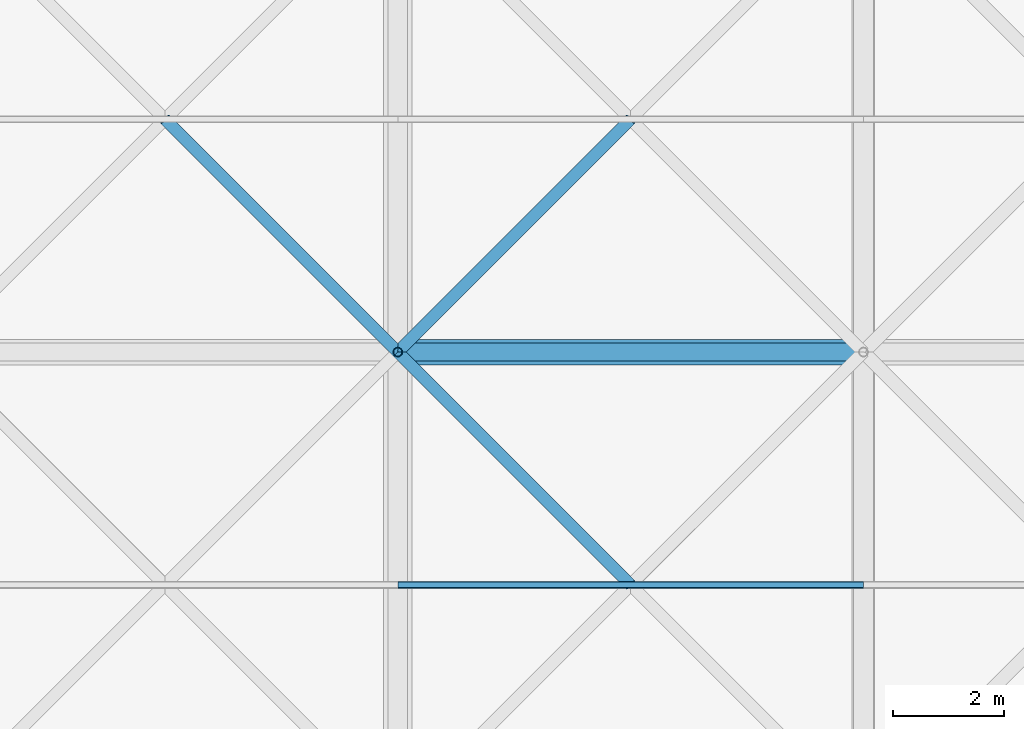
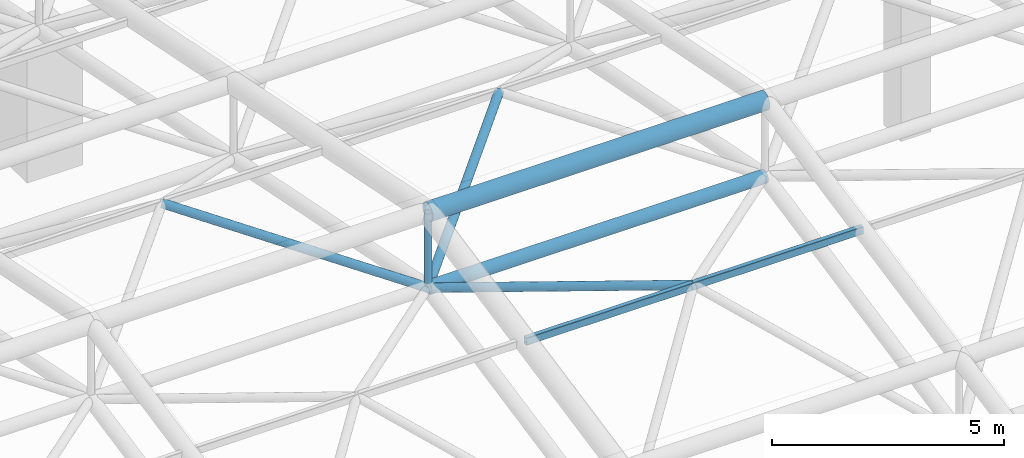
# One storey, part 40 of 81: 7 members.
"""IFC4 building model written with IfcOpenShell, lengths in metres."""

from ifc_helpers import new_model, si_unit, direction, frame, origin, origin_2d, place, context, subcontext, project, spatial, hollow_rectangle, hollow_circle, extrude, material, material_profile, profile_set, type_object, element, save


model = new_model("IFC4")

# Units and contexts
model_context = context("Model", 3, precision=1e-05, world=origin(), true_north=direction((0.0, 1.0)))
body_context = subcontext(model_context, "Body", "Model", "MODEL_VIEW")
ifc_project = project(units=[si_unit("LENGTHUNIT", "METRE"), si_unit("AREAUNIT", "SQUARE_METRE"), si_unit("VOLUMEUNIT", "CUBIC_METRE"), si_unit("PLANEANGLEUNIT", "RADIAN"), si_unit("MASSUNIT", "GRAM", prefix="KILO")], contexts=[model_context])

# Site, building, storey
site_placement = place(None, origin())
site = spatial("IfcSite", under=ifc_project, at=site_placement, CompositionType="ELEMENT")
building_placement = place(site_placement, origin())
building = spatial("IfcBuilding", under=site, at=building_placement, Name="Qawsi Khor Wholesale Market", CompositionType="ELEMENT")
storey_placement = place(building_placement, frame((0.0, 0.0, 16.199951171875)))
storey = spatial("IfcBuildingStorey", under=building, at=storey_placement, Name="L03", CompositionType="ELEMENT", Elevation=16.199951171875)

# Members
ifc_material = material(Name="Steel S355", Category="steel")
ifc_material_profile_1 = material_profile(ifc_material, hollow_rectangle(XDim=0.1201171875, YDim=0.199951171875, WallThickness=0.008056640625, InnerFilletRadius=0.008056640625, OuterFilletRadius=0.01611328125, at=origin_2d()), Name="RHS 200x120x8.0")
ifc_profile_set_1 = profile_set([ifc_material_profile_1], Name="Steel S355")
member_type_1 = type_object("IfcMemberType", Name="Space-Frame Heavy Purlin RHS 200x120x8.0", PredefinedType="PURLIN", material=ifc_profile_set_1)
member_1_placement = place(storey_placement, frame((58.800048828125, 71.39990234375, 7.920166015625), z_axis=(1.0, 0.0, 0.0), x_axis=(0.0, 1.0, 0.0)))
element("IfcMember", 1, at=member_1_placement, inside=storey, type_object=member_type_1, Name="Space frame purlin WH (7,8)", PredefinedType="PURLIN", context=body_context, shape_type="SweptSolid", body=[
    extrude(hollow_rectangle(XDim=0.1201171875, YDim=0.199951171875, WallThickness=0.008056640625, InnerFilletRadius=0.008056640625, OuterFilletRadius=0.01611328125, at=origin_2d()), origin(), (0.0, 0.0, 1.0), 8.39990234375),
])
ifc_material_profile_2 = material_profile(ifc_material, hollow_circle(Radius=0.109619140625, WallThickness=0.010009765625, at=origin_2d()), Name="CHS 219.1x10.0")
ifc_profile_set_2 = profile_set([ifc_material_profile_2], Name="Steel S355")
member_type_2 = type_object("IfcMemberType", Name="Space-Frame Inner Diagonal CHS 219.1x10.0", PredefinedType="RAFTER", material=ifc_profile_set_2)
for number, where, z_axis, x_axis, name in (
    (2, (58.800048828125, 75.60009765625, 6.77001953125), (-0.694211389158, 0.694211389158, 0.190108112208), (-0.707106781187, -0.707106781187, 0.0), "Space frame diagonal WH (6,9)-2"),
    (3, (58.800048828125, 75.60009765625, 6.77001953125), (0.694191941586, -0.694232294544, 0.190102786538), (0.707127332136, 0.70708622964, 0.0), "Space frame diagonal WH (7,8)-4"),
    (4, (58.800048828125, 75.60009765625, 6.77001953125), (0.694211389158, 0.694211389158, 0.190108112208), (-0.707106781187, 0.707106781187, 0.0), "Space frame diagonal WH (7,9)-1"),
):
    element("IfcMember", number, at=place(storey_placement, frame(where, z_axis=z_axis, x_axis=x_axis)), inside=storey, type_object=member_type_2, Name=name, PredefinedType="RAFTER", context=body_context, shape_type="SweptSolid", body=[
        extrude(hollow_circle(Radius=0.109619140625, WallThickness=0.010009765625, at=origin_2d()), origin(), (0.0, 0.0, 1.0), 6.050048828125),
    ])
ifc_material_profile_3 = material_profile(ifc_material, hollow_circle(Radius=0.228515625, WallThickness=0.02001953125, at=origin_2d()), Name="CHS 457.0x20.0")
ifc_profile_set_3 = profile_set([ifc_material_profile_3], Name="Steel S355")
member_type_3 = type_object("IfcMemberType", Name="Space-Frame Ridge Chord CHS 457.0x20.0", PredefinedType="CHORD", material=ifc_profile_set_3)
member_2_placement = place(storey_placement, frame((58.800048828125, 75.60009765625, 8.77001953125), z_axis=(1.0, 0.0, 0.0), x_axis=(0.0, 1.0, 0.0)))
element("IfcMember", 5, at=member_2_placement, inside=storey, type_object=member_type_3, Name="Space frame top chord X WH (7,9)", PredefinedType="CHORD", context=body_context, shape_type="SweptSolid", body=[
    extrude(hollow_circle(Radius=0.228515625, WallThickness=0.02001953125, at=origin_2d()), origin(), (0.0, 0.0, 1.0), 8.39990234375),
])
ifc_material_profile_4 = material_profile(ifc_material, hollow_circle(Radius=0.161865234375, WallThickness=0.01611328125, at=origin_2d()), Name="CHS 323.9x16.0")
ifc_profile_set_4 = profile_set([ifc_material_profile_4], Name="Steel S355")
member_type_4 = type_object("IfcMemberType", Name="Space-Frame Secondary Chord CHS 323.9x16.0", PredefinedType="CHORD", material=ifc_profile_set_4)
member_3_placement = place(storey_placement, frame((58.800048828125, 75.60009765625, 6.77001953125), z_axis=(1.0, 0.0, 0.0), x_axis=(0.0, 1.0, 0.0)))
element("IfcMember", 6, at=member_3_placement, inside=storey, type_object=member_type_4, Name="Space frame bottom chord X WH (7,9)", PredefinedType="CHORD", context=body_context, shape_type="SweptSolid", body=[
    extrude(hollow_circle(Radius=0.161865234375, WallThickness=0.01611328125, at=origin_2d()), origin(), (0.0, 0.0, 1.0), 8.39990234375),
])
ifc_material_profile_5 = material_profile(ifc_material, hollow_circle(Radius=0.084228515625, WallThickness=0.008056640625, at=origin_2d()), Name="CHS 168.3x8.0")
ifc_profile_set_5 = profile_set([ifc_material_profile_5], Name="Steel S355")
member_type_5 = type_object("IfcMemberType", Name="Space-Frame Vertical Strut CHS 168.3x8.0", PredefinedType="STRUT", material=ifc_profile_set_5)
member_4_placement = place(storey_placement, frame((58.800048828125, 75.60009765625, 6.77001953125), z_axis=(0.0, 0.0, 1.0), x_axis=(1.0, 0.0, 0.0)))
element("IfcMember", 7, at=member_4_placement, inside=storey, type_object=member_type_5, Name="Space frame post WH (7,9)", PredefinedType="STRUT", context=body_context, shape_type="SweptSolid", body=[
    extrude(hollow_circle(Radius=0.084228515625, WallThickness=0.008056640625, at=origin_2d()), origin(), (0.0, 0.0, 1.0), 2.0),
])

save(model, "model.ifc")
